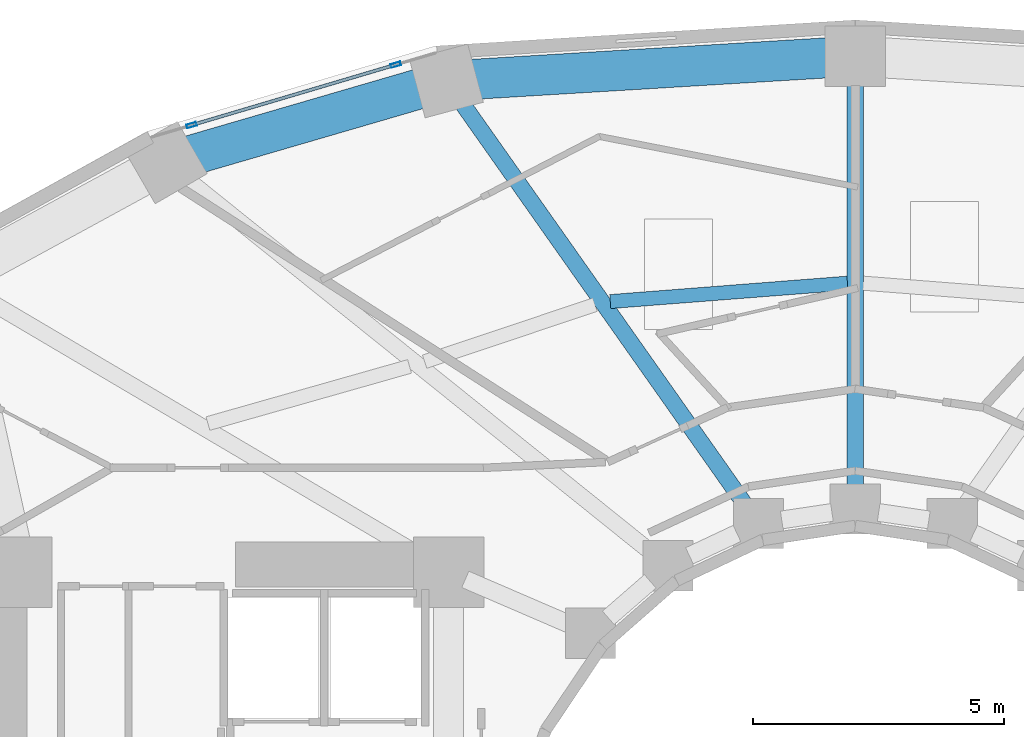
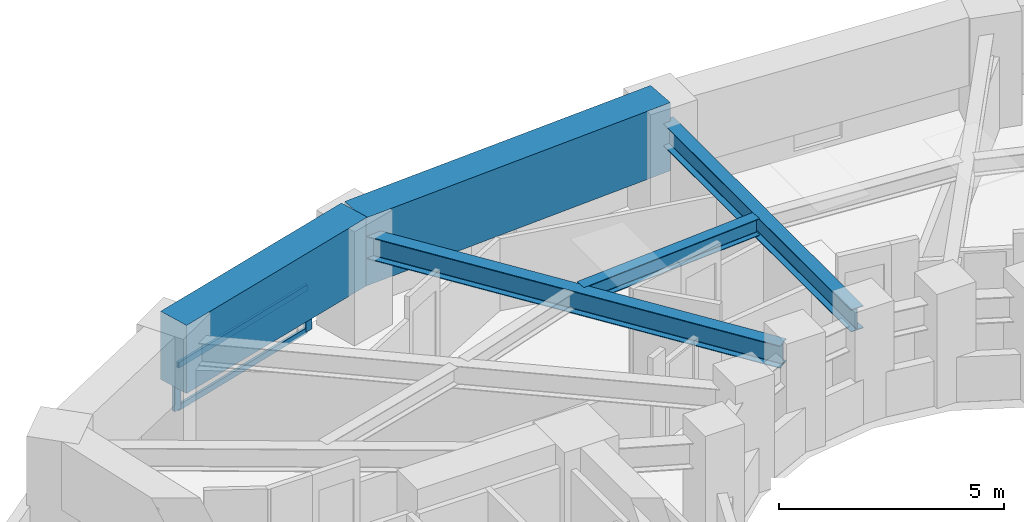
# One storey, part 7 of 17: 5 beams, 4 members, 1 element without a shape of its own.
"""IFC4 building model written with IfcOpenShell, lengths in metres."""

from ifc_helpers import new_model, si_unit, direction, frame, origin, origin_2d, place, context, subcontext, project, spatial, rectangle, hollow_rectangle, i_section, extrude, material, layer, layer_set, material_profile, profile_set, type_object, element, aggregate, save


model = new_model("IFC4")

# Units and contexts
model_context = context("Model", 3, precision=1e-05, world=origin(), true_north=direction((0.0, 1.0)))
body_context = subcontext(model_context, "Body", "Model", "MODEL_VIEW")
ifc_project = project(units=[si_unit("LENGTHUNIT", "METRE"), si_unit("AREAUNIT", "SQUARE_METRE"), si_unit("VOLUMEUNIT", "CUBIC_METRE"), si_unit("PLANEANGLEUNIT", "RADIAN"), si_unit("MASSUNIT", "GRAM", prefix="KILO")], contexts=[model_context])

# Site, building, storey
site_placement = place(None, origin())
site = spatial("IfcSite", under=ifc_project, at=site_placement, CompositionType="ELEMENT")
building_placement = place(site_placement, origin())
building = spatial("IfcBuilding", under=site, at=building_placement, Name="Solvane Sanctuary Tower", CompositionType="ELEMENT")
storey_placement = place(building_placement, frame((0.0, 0.0, 52.39990234375)))
storey = spatial("IfcBuildingStorey", under=building, at=storey_placement, Name="L15", CompositionType="ELEMENT", Elevation=52.39990234375)

# Beams
ifc_material_1 = material(Name="Steel ASTM A992 Grade 50", Category="steel")
ifc_material_profile_1 = material_profile(ifc_material_1, i_section(OverallWidth=0.323974609375, OverallDepth=0.611083984375, WebThickness=0.0126953125, FlangeThickness=0.01904296875, FilletRadius=0.01611328125, at=origin_2d()), Name="W24X104")
ifc_profile_set_1 = profile_set([ifc_material_profile_1], Name="Steel ASTM A992 Grade 50")
beam_type_1 = type_object("IfcBeamType", Name="Beam B-RAD-Z1 W24X104", PredefinedType="BEAM", material=ifc_profile_set_1)
beam_1_placement = place(storey_placement, frame((32.0, 31.739990234375, 2.29248046875), z_axis=(0.0, 1.0, 0.0), x_axis=(-1.0, 0.0, 0.0)))
element("IfcBeam", 1, at=beam_1_placement, inside=storey, type_object=beam_type_1, Name="L15 Radial Composite Floor Beam 04", PredefinedType="BEAM", context=body_context, shape_type="SweptSolid", body=[
    extrude(i_section(OverallWidth=0.323974609375, OverallDepth=0.611083984375, WebThickness=0.0126953125, FlangeThickness=0.01904296875, FilletRadius=0.01611328125, at=origin_2d()), origin(), (0.0, 0.0, 1.0), 8.4599609375),
])
beam_2_placement = place(storey_placement, frame((29.907958984375, 31.400390625, 2.29248046875), z_axis=(-0.576233115666, 0.817285382476, 0.0), x_axis=(-0.817285382476, -0.576233115666, 0.0)))
element("IfcBeam", 2, at=beam_2_placement, inside=storey, type_object=beam_type_1, Name="L15 Radial Composite Floor Beam 05", PredefinedType="BEAM", context=body_context, shape_type="SweptSolid", body=[
    extrude(i_section(OverallWidth=0.323974609375, OverallDepth=0.611083984375, WebThickness=0.0126953125, FlangeThickness=0.01904296875, FilletRadius=0.01611328125, at=origin_2d()), origin(), (0.0, 0.0, 1.0), 10.224365234375),
])
ifc_material_profile_2 = material_profile(ifc_material_1, i_section(OverallWidth=0.280029296875, OverallDepth=0.462890625, WebThickness=0.0107421875, FlangeThickness=0.017333984375, FilletRadius=0.013916015625, at=origin_2d()), Name="W18X76")
ifc_profile_set_2 = profile_set([ifc_material_profile_2], Name="Steel ASTM A992 Grade 50")
beam_type_2 = type_object("IfcBeamType", Name="Beam B-SEC-JOIST W18X76", PredefinedType="JOIST", material=ifc_profile_set_2)
beam_3_placement = place(storey_placement, frame((27.11865234375, 35.5908203125, 2.36669921875), z_axis=(0.996997851194, 0.077429223911, 0.0), x_axis=(-0.077429223911, 0.996997851194, 0.0)))
element("IfcBeam", 3, at=beam_3_placement, inside=storey, type_object=beam_type_2, Name="L15 Secondary Circumferential Joist 05-04", PredefinedType="JOIST", context=body_context, shape_type="SweptSolid", body=[
    extrude(i_section(OverallWidth=0.280029296875, OverallDepth=0.462890625, WebThickness=0.0107421875, FlangeThickness=0.017333984375, FilletRadius=0.013916015625, at=origin_2d()), origin(), (0.0, 0.0, 1.0), 4.739013671875),
])
ifc_material_2 = material(Name="Concrete C70/85", Category="concrete")
ifc_material_profile_3 = material_profile(ifc_material_2, rectangle(XDim=0.800048828125, YDim=1.85009765625, at=origin_2d()), Name="RC800X1850")
ifc_profile_set_3 = profile_set([ifc_material_profile_3], Name="Concrete C70/85")
beam_type_3 = type_object("IfcBeamType", Name="Beam B-XFER-BLK RC800X1850", PredefinedType="BEAM", material=ifc_profile_set_3)
beam_4_placement = place(storey_placement, frame((18.272705078125, 38.359375, 2.175048828125), z_axis=(0.960089774527, 0.279692017849, 0.0), x_axis=(-0.279692017849, 0.960089774527, 0.0)))
element("IfcBeam", 4, at=beam_4_placement, inside=storey, type_object=beam_type_3, Name="L15 Perimeter Step Transfer Ring NTC06-NTC05", PredefinedType="BEAM", context=body_context, shape_type="SweptSolid", body=[
    extrude(rectangle(XDim=0.800048828125, YDim=1.85009765625, at=origin_2d()), origin(), (0.0, 0.0, 1.0), 5.814208984375),
])
beam_5_placement = place(storey_placement, frame((23.85498046875, 39.985595703125, 2.175048828125), z_axis=(0.998162963029, 0.06058629579, 0.0), x_axis=(-0.06058629579, 0.998162963029, 0.0)))
element("IfcBeam", 5, at=beam_5_placement, inside=storey, type_object=beam_type_3, Name="L15 Perimeter Step Transfer Ring NTC05-NTC04", PredefinedType="BEAM", context=body_context, shape_type="SweptSolid", body=[
    extrude(rectangle(XDim=0.800048828125, YDim=1.85009765625, at=origin_2d()), origin(), (0.0, 0.0, 1.0), 8.159912109375),
])

# Curtain wall, members
ifc_material_3 = material(Name="Anodised Aluminium 6063-T6", Category="aluminium")
ifc_layer = layer(ifc_material_3, 0.169921875, Name="Anodised Aluminium 6063-T6")
ifc_layer_set = layer_set([ifc_layer], Name="Anodised Aluminium 6063-T6")
curtain_wall_type = type_object("IfcCurtainWallType", Name="Curtain Wall CW-FRIT-Z1", PredefinedType="NOTDEFINED", material=ifc_layer_set)
curtain_wall_placement = place(storey_placement, origin())
curtain_wall = element("IfcCurtainWall", 6, at=curtain_wall_placement, inside=storey, type_object=curtain_wall_type, Name="L15 CW-FRIT-Z1 Facade Run 07", PredefinedType="NOTDEFINED")
ifc_material_profile_4 = material_profile(ifc_material_3, hollow_rectangle(XDim=0.074951171875, YDim=0.199951171875, WallThickness=0.00390625, at=origin_2d()), Name="ALU200X75X4")
ifc_profile_set_4 = profile_set([ifc_material_profile_4], Name="Anodised Aluminium 6063-T6")
member_type_1 = type_object("IfcMemberType", Name="Member M-CW-MUL-1 ALU200X75X4", PredefinedType="MULLION", material=ifc_profile_set_4)
member_1_placement = place(storey_placement, frame((22.845947265625, 40.3095703125, 0.0), z_axis=(0.0, 0.0, 1.0), x_axis=(0.283936052018, -0.958843218866, 0.0)))
member_1 = element("IfcMember", 7, at=member_1_placement, type_object=member_type_1, Name="CW-FRIT-Z1 mullion 1", PredefinedType="MULLION", context=body_context, shape_type="SweptSolid", body=[
    extrude(hollow_rectangle(XDim=0.074951171875, YDim=0.199951171875, WallThickness=0.00390625, at=origin_2d()), origin(), (0.0, 0.0, 1.0), 1.22021484375),
])
member_2_placement = place(storey_placement, frame((18.7802734375, 39.10546875, 0.0), z_axis=(0.0, 0.0, 1.0), x_axis=(0.283936052018, -0.958843218866, 0.0)))
member_2 = element("IfcMember", 8, at=member_2_placement, type_object=member_type_1, Name="CW-FRIT-Z1 mullion 2", PredefinedType="MULLION", context=body_context, shape_type="SweptSolid", body=[
    extrude(hollow_rectangle(XDim=0.074951171875, YDim=0.199951171875, WallThickness=0.00390625, at=origin_2d()), origin(), (0.0, 0.0, 1.0), 1.22021484375),
])
ifc_material_profile_5 = material_profile(ifc_material_3, hollow_rectangle(XDim=0.06494140625, YDim=0.159912109375, WallThickness=0.00341796875, at=origin_2d()), Name="ALU160X65X3.5")
ifc_profile_set_5 = profile_set([ifc_material_profile_5], Name="Anodised Aluminium 6063-T6")
member_type_2 = type_object("IfcMemberType", Name="Member M-CW-TRN-1 ALU160X65X3.5", PredefinedType="USERDEFINED", material=ifc_profile_set_5)
member_3_placement = place(storey_placement, frame((22.81005859375, 40.298828125, 0.03271484375), z_axis=(-0.958847767463, -0.283920691093, 0.0), x_axis=(0.283920691093, -0.958847767463, 0.0)))
member_3 = element("IfcMember", 9, at=member_3_placement, type_object=member_type_2, Name="CW-FRIT-Z1 transom 1.1", ObjectType="TRANSOM", PredefinedType="USERDEFINED", context=body_context, shape_type="SweptSolid", body=[
    extrude(hollow_rectangle(XDim=0.06494140625, YDim=0.159912109375, WallThickness=0.00341796875, at=origin_2d()), origin(), (0.0, 0.0, 1.0), 4.165283203125),
])
member_4_placement = place(storey_placement, frame((22.81005859375, 40.298828125, 1.1875), z_axis=(-0.958847767463, -0.283920691093, 0.0), x_axis=(0.283920691093, -0.958847767463, 0.0)))
member_4 = element("IfcMember", 10, at=member_4_placement, type_object=member_type_2, Name="CW-FRIT-Z1 transom 1.2", ObjectType="TRANSOM", PredefinedType="USERDEFINED", context=body_context, shape_type="SweptSolid", body=[
    extrude(hollow_rectangle(XDim=0.06494140625, YDim=0.159912109375, WallThickness=0.00341796875, at=origin_2d()), origin(), (0.0, 0.0, 1.0), 4.165283203125),
])
aggregate(curtain_wall, [member_1, member_2, member_3, member_4])

save(model, "model.ifc")
